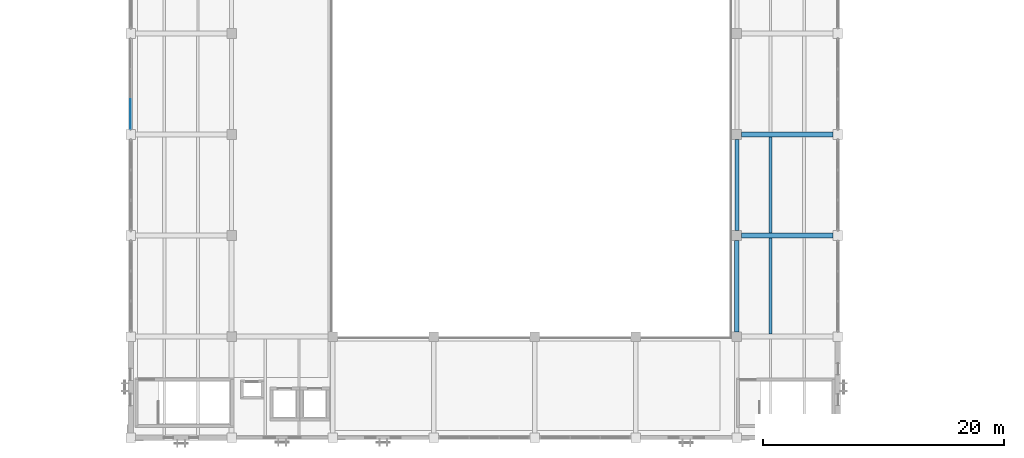
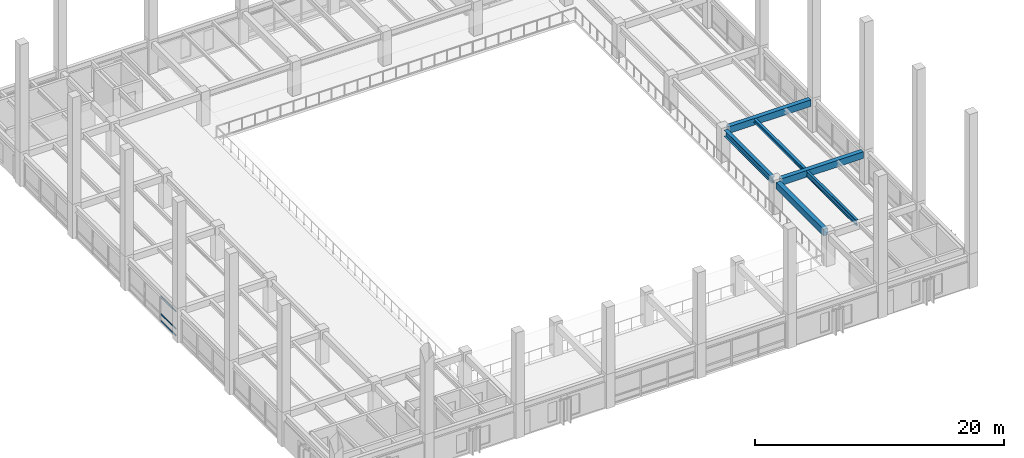
# One storey, part 5 of 64: 6 beams, 3 members, 1 element without a shape of its own.
"""IFC4 building model written with IfcOpenShell, lengths in metres."""

from ifc_helpers import new_model, si_unit, direction, frame, origin, origin_2d, place, context, subcontext, project, spatial, rectangle, i_section, extrude, material, material_profile, profile_set, type_object, element, aggregate, save


model = new_model("IFC4")

# Units and contexts
model_context = context("Model", 3, precision=1e-05, world=origin(), true_north=direction((0.0, 1.0)))
body_context = subcontext(model_context, "Body", "Model", "MODEL_VIEW")
ifc_project = project(units=[si_unit("LENGTHUNIT", "METRE"), si_unit("AREAUNIT", "SQUARE_METRE"), si_unit("VOLUMEUNIT", "CUBIC_METRE"), si_unit("PLANEANGLEUNIT", "RADIAN"), si_unit("MASSUNIT", "GRAM", prefix="KILO")], contexts=[model_context])

# Site, building, storey
site_placement = place(None, origin())
site = spatial("IfcSite", under=ifc_project, at=site_placement, CompositionType="ELEMENT")
building_placement = place(site_placement, origin())
building = spatial("IfcBuilding", under=site, at=building_placement, Name="Cumbredor Promenade Congress Hotel", CompositionType="ELEMENT")
storey_placement = place(building_placement, frame((0.0, 0.0, 18.47998046875)))
storey = spatial("IfcBuildingStorey", under=building, at=storey_placement, Name="L05", CompositionType="ELEMENT", Elevation=18.47998046875)

# Beams
ifc_material_1 = material(Name="Concrete C40/50", Category="concrete")
ifc_material_profile_1 = material_profile(ifc_material_1, rectangle(XDim=0.39990234375, YDim=0.64990234375, at=origin_2d()), Name="RC BEAM 400x650")
ifc_profile_set_1 = profile_set([ifc_material_profile_1], Name="Concrete C40/50")
beam_type_1 = type_object("IfcBeamType", Name="BM-RC-400x650", PredefinedType="BEAM", material=ifc_profile_set_1)
for number, where, z_axis, x_axis, name in (
    (1, (58.800048828125, 17.199951171875, 2.794921875), (0.0, 1.0, 0.0), (-1.0, 0.0, 0.0), "L06 Y-Grid Beam 094"),
    (2, (59.199951171875, 25.199951171875, 2.794921875), (1.0, 0.0, 0.0), (0.0, 1.0, 0.0), "L06 X-Grid Beam 095"),
    (3, (59.199951171875, 33.60009765625, 2.794921875), (1.0, 0.0, 0.0), (0.0, 1.0, 0.0), "L06 X-Grid Beam 097"),
):
    element("IfcBeam", number, at=place(storey_placement, frame(where, z_axis=z_axis, x_axis=x_axis)), inside=storey, type_object=beam_type_1, Name=name, PredefinedType="BEAM", context=body_context, shape_type="SweptSolid", body=[
        extrude(rectangle(XDim=0.39990234375, YDim=0.64990234375, at=origin_2d()), origin(), (0.0, 0.0, 1.0), 7.60009765625),
    ])

# Curtain wall, members
ifc_material_2 = material(Name="Thermally broken anodized aluminium and low-E glass", Category="aluminium")
curtain_wall_type = type_object("IfcCurtainWallType", Name="Unitised Bronze Curtain Wall CW-01", PredefinedType="NOTDEFINED", material=ifc_material_2)
curtain_wall_placement = place(storey_placement, origin())
curtain_wall = element("IfcCurtainWall", 4, at=curtain_wall_placement, inside=storey, type_object=curtain_wall_type, Name="L05 Plenary Congress Hall West Curtain Wall 4", PredefinedType="NOTDEFINED")
ifc_material_3 = material(Name="Thermally broken anodized aluminium", Category="aluminium")
ifc_material_profile_2 = material_profile(ifc_material_3, rectangle(XDim=0.06494140625, YDim=0.1298828125, at=origin_2d()), Name="ALU TRANSOM 65x130")
ifc_profile_set_2 = profile_set([ifc_material_profile_2], Name="Thermally broken anodized aluminium")
member_type = type_object("IfcMemberType", Name="Curtain Wall Transom TR-01", PredefinedType="USERDEFINED", material=ifc_profile_set_2)
member_1_placement = place(storey_placement, frame((8.39990234375, 34.08740234375, 0.070068359375), z_axis=(0.0, 1.0, 0.0), x_axis=(-1.0, 0.0, 0.0)))
member_1 = element("IfcMember", 5, at=member_1_placement, type_object=member_type, Name="L05 Plenary Congress Hall West Curtain Wall 4 Transom 1.1", ObjectType="TRANSOM", PredefinedType="USERDEFINED", context=body_context, shape_type="SweptSolid", body=[
    extrude(rectangle(XDim=0.06494140625, YDim=0.1298828125, at=origin_2d()), origin(), (0.0, 0.0, 1.0), 2.431884765625),
])
member_2_placement = place(storey_placement, frame((8.39990234375, 34.08740234375, 0.719970703125), z_axis=(0.0, 1.0, 0.0), x_axis=(-1.0, 0.0, 0.0)))
member_2 = element("IfcMember", 6, at=member_2_placement, type_object=member_type, Name="L05 Plenary Congress Hall West Curtain Wall 4 Transom 1.2", ObjectType="TRANSOM", PredefinedType="USERDEFINED", context=body_context, shape_type="SweptSolid", body=[
    extrude(rectangle(XDim=0.06494140625, YDim=0.1298828125, at=origin_2d()), origin(), (0.0, 0.0, 1.0), 2.431884765625),
])
member_3_placement = place(storey_placement, frame((8.39990234375, 34.08740234375, 2.429931640625), z_axis=(0.0, 1.0, 0.0), x_axis=(-1.0, 0.0, 0.0)))
member_3 = element("IfcMember", 7, at=member_3_placement, type_object=member_type, Name="L05 Plenary Congress Hall West Curtain Wall 4 Transom 1.3", ObjectType="TRANSOM", PredefinedType="USERDEFINED", context=body_context, shape_type="SweptSolid", body=[
    extrude(rectangle(XDim=0.06494140625, YDim=0.1298828125, at=origin_2d()), origin(), (0.0, 0.0, 1.0), 2.431884765625),
])
aggregate(curtain_wall, [member_1, member_2, member_3])

# Beams
ifc_material_4 = material(Name="Steel ASTM A992 Grade 50", Category="steel")
ifc_material_profile_3 = material_profile(ifc_material_4, i_section(OverallWidth=0.2548828125, OverallDepth=0.35693359375, WebThickness=0.010498046875, FlangeThickness=0.018310546875, at=origin_2d()), Name="W14X68")
ifc_profile_set_3 = profile_set([ifc_material_profile_3], Name="Steel ASTM A992 Grade 50")
beam_type_2 = type_object("IfcBeamType", Name="JST-W14X68", PredefinedType="JOIST", material=ifc_profile_set_3)
beam_1_placement = place(storey_placement, frame((61.60009765625, 25.39990234375, 2.94140625), z_axis=(0.0, 1.0, 0.0), x_axis=(-1.0, 0.0, 0.0)))
element("IfcBeam", 8, at=beam_1_placement, inside=storey, type_object=beam_type_2, Name="L06 Secondary Floor Joist 0059", PredefinedType="JOIST", context=body_context, shape_type="SweptSolid", body=[
    extrude(i_section(OverallWidth=0.2548828125, OverallDepth=0.35693359375, WebThickness=0.010498046875, FlangeThickness=0.018310546875, at=origin_2d()), origin(), (0.0, 0.0, 1.0), 8.0),
])
ifc_material_profile_4 = material_profile(ifc_material_4, i_section(OverallWidth=0.214111328125, OverallDepth=0.549072265625, WebThickness=0.0146484375, FlangeThickness=0.023681640625, at=origin_2d()), Name="W21X93")
ifc_profile_set_4 = profile_set([ifc_material_profile_4], Name="Steel ASTM A992 Grade 50")
beam_type_3 = type_object("IfcBeamType", Name="JST-W21X93", PredefinedType="JOIST", material=ifc_profile_set_4)
beam_2_placement = place(storey_placement, frame((61.60009765625, 17.0, 2.845458984375), z_axis=(0.0, 1.0, 0.0), x_axis=(-1.0, 0.0, 0.0)))
element("IfcBeam", 9, at=beam_2_placement, inside=storey, type_object=beam_type_3, Name="L06 Secondary Floor Joist 0057", PredefinedType="JOIST", context=body_context, shape_type="SweptSolid", body=[
    extrude(i_section(OverallWidth=0.214111328125, OverallDepth=0.549072265625, WebThickness=0.0146484375, FlangeThickness=0.023681640625, at=origin_2d()), origin(), (0.0, 0.0, 1.0), 8.0),
])
ifc_material_profile_5 = material_profile(ifc_material_4, i_section(OverallWidth=0.323974609375, OverallDepth=0.611083984375, WebThickness=0.0126953125, FlangeThickness=0.01904296875, at=origin_2d()), Name="W24X104")
ifc_profile_set_5 = profile_set([ifc_material_profile_5], Name="Steel ASTM A992 Grade 50")
beam_type_4 = type_object("IfcBeamType", Name="SP-W24X104", PredefinedType="SPANDREL", material=ifc_profile_set_5)
beam_3_placement = place(storey_placement, frame((58.800048828125, 25.60009765625, 2.814453125), z_axis=(0.0, 1.0, 0.0), x_axis=(-1.0, 0.0, 0.0)))
element("IfcBeam", 10, at=beam_3_placement, inside=storey, type_object=beam_type_4, Name="L06 Y-Grid Beam 096", PredefinedType="SPANDREL", context=body_context, shape_type="SweptSolid", body=[
    extrude(i_section(OverallWidth=0.323974609375, OverallDepth=0.611083984375, WebThickness=0.0126953125, FlangeThickness=0.01904296875, at=origin_2d()), origin(), (0.0, 0.0, 1.0), 7.599853515625),
])

save(model, "model.ifc")
